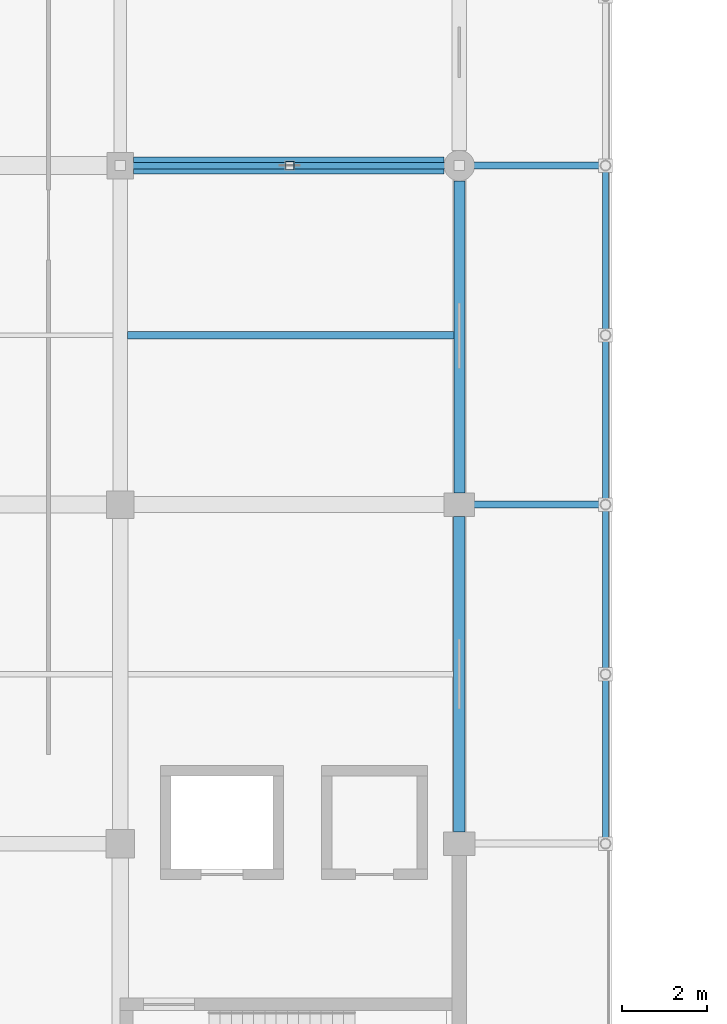
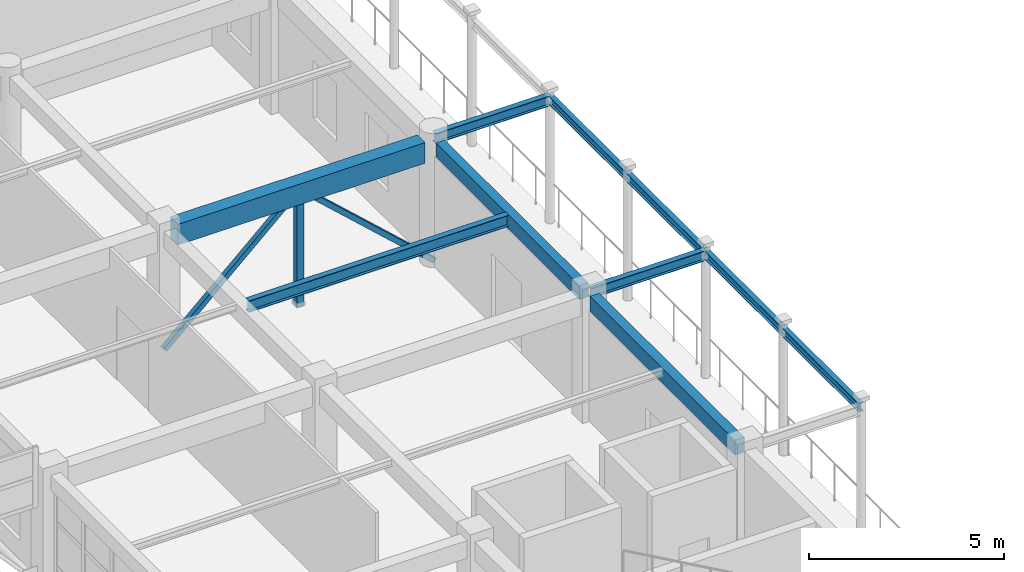
# One storey, part 70 of 195: 8 beams, 3 members.
"""IFC4 building model written with IfcOpenShell, lengths in metres."""

from ifc_helpers import new_model, si_unit, direction, frame, origin, origin_2d, place, context, subcontext, project, spatial, rectangle, hollow_rectangle, i_section, extrude, material, material_profile, profile_set, type_object, element, save


model = new_model("IFC4")

# Units and contexts
model_context = context("Model", 3, precision=1e-05, world=origin(), true_north=direction((0.0, 1.0)))
body_context = subcontext(model_context, "Body", "Model", "MODEL_VIEW")
ifc_project = project(units=[si_unit("LENGTHUNIT", "METRE"), si_unit("AREAUNIT", "SQUARE_METRE"), si_unit("VOLUMEUNIT", "CUBIC_METRE"), si_unit("PLANEANGLEUNIT", "RADIAN"), si_unit("MASSUNIT", "GRAM", prefix="KILO")], contexts=[model_context])

# Site, building, storey
site_placement = place(None, origin())
site = spatial("IfcSite", under=ifc_project, at=site_placement, CompositionType="ELEMENT")
building_placement = place(site_placement, origin())
building = spatial("IfcBuilding", under=site, at=building_placement, Name="Kharva Crest Polytechnic", CompositionType="ELEMENT")
storey_placement = place(building_placement, frame((0.0, 0.0, 9.0)))
storey = spatial("IfcBuildingStorey", under=building, at=storey_placement, Name="L02", CompositionType="ELEMENT", Elevation=9.0)

# Beams
ifc_material_1 = material(Name="Concrete C35/45", Category="concrete")
ifc_material_profile_1 = material_profile(ifc_material_1, rectangle(XDim=0.39990234375, YDim=0.64990234375, at=origin_2d()), Name="RECT 400 X 650")
ifc_profile_set_1 = profile_set([ifc_material_profile_1], Name="Concrete C35/45")
beam_type_1 = type_object("IfcBeamType", Name="BM-RC-400X650", PredefinedType="BEAM", material=ifc_profile_set_1)
beam_1_placement = place(storey_placement, frame((40.31005859375, 62.800048828125, 3.594970703125), z_axis=(1.0, 0.0, 0.0), x_axis=(0.0, 1.0, 0.0)))
element("IfcBeam", 1, at=beam_1_placement, inside=storey, type_object=beam_type_1, Name="L02 Beam J/6-7", PredefinedType="BEAM", context=body_context, shape_type="SweptSolid", body=[
    extrude(rectangle(XDim=0.39990234375, YDim=0.64990234375, at=origin_2d()), origin(), (0.0, 0.0, 1.0), 7.329833984375),
])
ifc_material_2 = material(Name="Steel S355", Category="steel")
ifc_material_profile_2 = material_profile(ifc_material_2, i_section(OverallWidth=0.14794921875, OverallDepth=0.26611328125, WebThickness=0.007568359375, FlangeThickness=0.012939453125, at=origin_2d()), Name="W250X44.8")
ifc_profile_set_2 = profile_set([ifc_material_profile_2], Name="Steel S355")
beam_type_2 = type_object("IfcBeamType", Name="BM-STL-W250X44", PredefinedType="SPANDREL", material=ifc_profile_set_2)
for number, where, z_axis, x_axis, name in (
    (2, (51.449951171875, 46.820068359375, 3.85693359375), (0.0, 1.0, 0.0), (-1.0, 0.0, 0.0), "L02 West Veranda Beam 1"),
    (3, (51.449951171875, 54.820068359375, 3.85693359375), (0.0, 1.0, 0.0), (-1.0, 0.0, 0.0), "L02 West Veranda Beam 2"),
):
    element("IfcBeam", number, at=place(storey_placement, frame(where, z_axis=z_axis, x_axis=x_axis)), inside=storey, type_object=beam_type_2, Name=name, PredefinedType="SPANDREL", context=body_context, shape_type="SweptSolid", body=[
        extrude(i_section(OverallWidth=0.14794921875, OverallDepth=0.26611328125, WebThickness=0.007568359375, FlangeThickness=0.012939453125, at=origin_2d()), origin(), (0.0, 0.0, 1.0), 7.9599609375),
    ])
ifc_material_profile_3 = material_profile(ifc_material_2, i_section(OverallWidth=0.1669921875, OverallDepth=0.31689453125, WebThickness=0.007568359375, FlangeThickness=0.01318359375, at=origin_2d()), Name="W310X52")
ifc_profile_set_3 = profile_set([ifc_material_profile_3], Name="Steel S355")
beam_type_3 = type_object("IfcBeamType", Name="BM-STL-W310X52", PredefinedType="BEAM", material=ifc_profile_set_3)
for number, where, z_axis, x_axis, name in (
    (4, (48.02001953125, 54.800048828125, 3.83154296875), (1.0, 0.0, 0.0), (0.0, 1.0, 0.0), "L02 West Veranda Tie 2"),
    (5, (48.02001953125, 62.800048828125, 3.83154296875), (1.0, 0.0, 0.0), (0.0, 1.0, 0.0), "L02 West Veranda Tie 3"),
):
    element("IfcBeam", number, at=place(storey_placement, frame(where, z_axis=z_axis, x_axis=x_axis)), inside=storey, type_object=beam_type_3, Name=name, PredefinedType="BEAM", context=body_context, shape_type="SweptSolid", body=[
        extrude(i_section(OverallWidth=0.1669921875, OverallDepth=0.31689453125, WebThickness=0.007568359375, FlangeThickness=0.01318359375, at=origin_2d()), origin(), (0.0, 0.0, 1.0), 3.409912109375),
    ])
ifc_material_profile_4 = material_profile(ifc_material_2, i_section(OverallWidth=0.172119140625, OverallDepth=0.35791015625, WebThickness=0.0078125, FlangeThickness=0.01318359375, at=origin_2d()), Name="W360X57.8")
ifc_profile_set_4 = profile_set([ifc_material_profile_4], Name="Steel S355")
beam_type_4 = type_object("IfcBeamType", Name="BM-STL-W360X57", PredefinedType="JOIST", material=ifc_profile_set_4)
beam_2_placement = place(storey_placement, frame((40.169921875, 58.800048828125, 3.740966796875), z_axis=(1.0, 0.0, 0.0), x_axis=(0.0, 1.0, 0.0)))
element("IfcBeam", 6, at=beam_2_placement, inside=storey, type_object=beam_type_4, Name="L02 Floor Joist 4", PredefinedType="JOIST", context=body_context, shape_type="SweptSolid", body=[
    extrude(i_section(OverallWidth=0.172119140625, OverallDepth=0.35791015625, WebThickness=0.0078125, FlangeThickness=0.01318359375, at=origin_2d()), origin(), (0.0, 0.0, 1.0), 7.7001953125),
])

# Members
ifc_material_profile_5 = material_profile(ifc_material_2, hollow_rectangle(XDim=0.14990234375, YDim=0.14990234375, WallThickness=0.00634765625, at=origin_2d()), Name="RHS 150X150X6.3")
ifc_profile_set_5 = profile_set([ifc_material_profile_5], Name="Steel S355")
member_type_1 = type_object("IfcMemberType", Name="MEM-RHS150-BR", PredefinedType="BRACE", material=ifc_profile_set_5)
for number, where, z_axis, x_axis, name in (
    (7, (40.0, 62.800048828125, 0.0), (0.738694342968, 0.0, 0.674040553429), (0.0, 1.0, 0.0), "L02 Braced Frame 3 Diagonal A"),
    (8, (48.0, 62.800048828125, 0.0), (-0.738694342968, 0.0, 0.674040553429), (0.0, -1.0, 0.0), "L02 Braced Frame 3 Diagonal B"),
):
    element("IfcMember", number, at=place(storey_placement, frame(where, z_axis=z_axis, x_axis=x_axis)), inside=storey, type_object=member_type_1, Name=name, PredefinedType="BRACE", context=body_context, shape_type="SweptSolid", body=[
        extrude(hollow_rectangle(XDim=0.14990234375, YDim=0.14990234375, WallThickness=0.00634765625, at=origin_2d()), origin(), (0.0, 0.0, 1.0), 5.4150390625),
    ])
ifc_material_profile_6 = material_profile(ifc_material_2, hollow_rectangle(XDim=0.199951171875, YDim=0.199951171875, WallThickness=0.008056640625, at=origin_2d()), Name="RHS 200X200X8.0")
ifc_profile_set_6 = profile_set([ifc_material_profile_6], Name="Steel S355")
member_type_2 = type_object("IfcMemberType", Name="MEM-RHS200-ST", PredefinedType="STRUT", material=ifc_profile_set_6)
member_placement = place(storey_placement, frame((44.0, 62.800048828125, 0.0), z_axis=(0.0, 0.0, 1.0), x_axis=(1.0, 0.0, 0.0)))
element("IfcMember", 9, at=member_placement, inside=storey, type_object=member_type_2, Name="L02 Braced Frame 3 King Strut", PredefinedType="STRUT", context=body_context, shape_type="SweptSolid", body=[
    extrude(hollow_rectangle(XDim=0.199951171875, YDim=0.199951171875, WallThickness=0.008056640625, at=origin_2d()), origin(), (0.0, 0.0, 1.0), 3.64990234375),
])

# Beams
ifc_material_profile_7 = material_profile(ifc_material_1, rectangle(XDim=0.260009765625, YDim=0.43994140625, at=origin_2d()), Name="RECT 260 X 440")
ifc_profile_set_7 = profile_set([ifc_material_profile_7], Name="Concrete C35/45")
beam_type_5 = type_object("IfcBeamType", Name="SP-RC-260X440", PredefinedType="SPANDREL", material=ifc_profile_set_7)
beam_3_placement = place(storey_placement, frame((48.0, 55.074951171875, 3.699951171875), z_axis=(0.0, 1.0, 0.0), x_axis=(-1.0, 0.0, 0.0)))
element("IfcBeam", 10, at=beam_3_placement, inside=storey, type_object=beam_type_5, Name="L02 Girder 7/H-J", PredefinedType="SPANDREL", context=body_context, shape_type="SweptSolid", body=[
    extrude(rectangle(XDim=0.260009765625, YDim=0.43994140625, at=origin_2d()), origin(), (0.0, 0.0, 1.0), 7.364990234375),
])
ifc_material_profile_8 = material_profile(ifc_material_1, rectangle(XDim=0.280029296875, YDim=0.4599609375, at=origin_2d()), Name="RECT 280 X 460")
ifc_profile_set_8 = profile_set([ifc_material_profile_8], Name="Concrete C35/45")
beam_type_6 = type_object("IfcBeamType", Name="SP-RC-280X460", PredefinedType="SPANDREL", material=ifc_profile_set_8)
beam_4_placement = place(storey_placement, frame((48.0, 47.074951171875, 3.68994140625), z_axis=(0.0, 1.0, 0.0), x_axis=(-1.0, 0.0, 0.0)))
element("IfcBeam", 11, at=beam_4_placement, inside=storey, type_object=beam_type_6, Name="L02 Girder 7/G-H", PredefinedType="SPANDREL", context=body_context, shape_type="SweptSolid", body=[
    extrude(rectangle(XDim=0.280029296875, YDim=0.4599609375, at=origin_2d()), origin(), (0.0, 0.0, 1.0), 7.449951171875),
])

save(model, "model.ifc")
